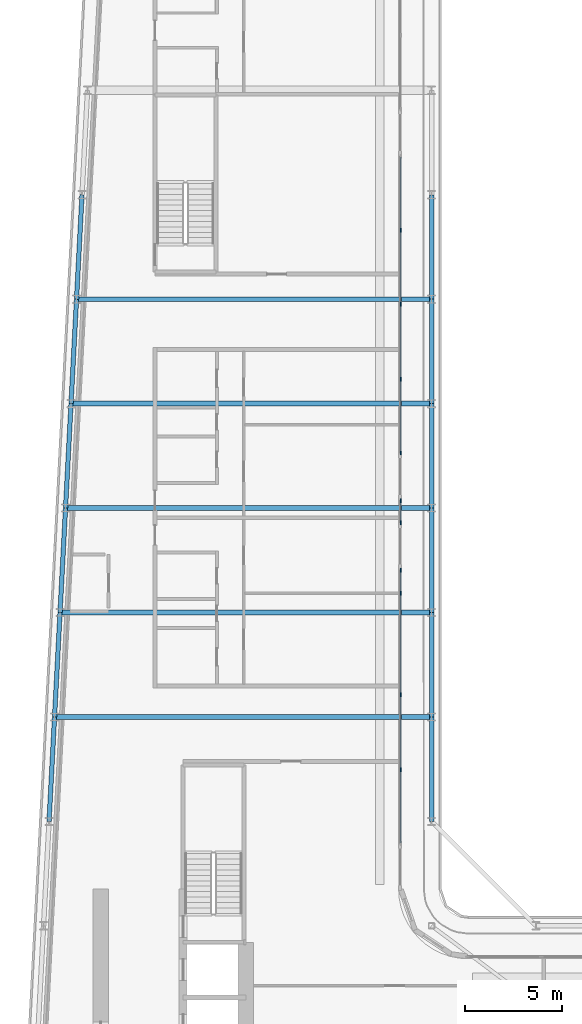
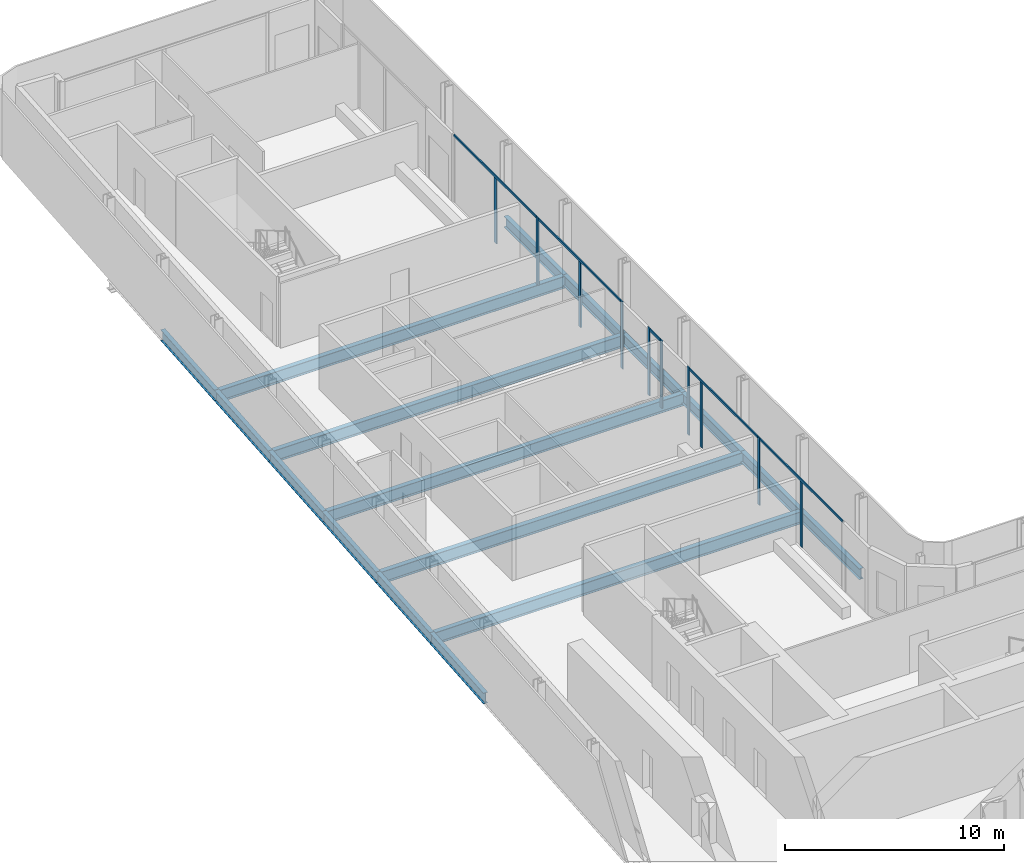
# One storey, part 9 of 29: 17 beams, 15 members, 5 elements without a shape of their own.
"""IFC4 building model written with IfcOpenShell, lengths in metres."""

from ifc_helpers import new_model, si_unit, direction, frame, origin, origin_2d, place, context, subcontext, project, spatial, rectangle, i_section, extrude, material, layer, layer_set, material_profile, profile_set, type_object, element, aggregate, save


model = new_model("IFC4")

# Units and contexts
model_context = context("Model", 3, precision=1e-05, world=origin(), true_north=direction((0.0, 1.0)))
body_context = subcontext(model_context, "Body", "Model", "MODEL_VIEW")
ifc_project = project(units=[si_unit("LENGTHUNIT", "METRE"), si_unit("AREAUNIT", "SQUARE_METRE"), si_unit("VOLUMEUNIT", "CUBIC_METRE"), si_unit("PLANEANGLEUNIT", "RADIAN"), si_unit("MASSUNIT", "GRAM", prefix="KILO")], contexts=[model_context])

# Site, building, storey
site_placement = place(None, origin())
site = spatial("IfcSite", under=ifc_project, at=site_placement, CompositionType="ELEMENT")
building_placement = place(site_placement, origin())
building = spatial("IfcBuilding", under=site, at=building_placement, Name="Kheshtan School and Residences Tower", CompositionType="ELEMENT")
storey_placement = place(building_placement, frame((0.0, 0.0, 176.0)))
storey = spatial("IfcBuildingStorey", under=building, at=storey_placement, Name="L41", CompositionType="ELEMENT", Elevation=176.0)

# Beams
ifc_material_1 = material(Name="Steel ASTM A992 Grade 50", Category="steel")
ifc_material_profile_1 = material_profile(ifc_material_1, i_section(OverallWidth=0.2529296875, OverallDepth=0.677978515625, WebThickness=0.01171875, FlangeThickness=0.016357421875, FilletRadius=0.0146484375, at=origin_2d()), Name="W690x125")
ifc_profile_set_1 = profile_set([ifc_material_profile_1], Name="Steel ASTM A992 Grade 50")
beam_type_1 = type_object("IfcBeamType", Name="Beam FB6 W690x125 ASTM A992 Grade 50", PredefinedType="BEAM", material=ifc_profile_set_1)
beam_1_placement = place(storey_placement, frame((47.60009765625, 78.0, -0.489013671875), z_axis=(-1.0, 0.0, 0.0), x_axis=(0.0, -1.0, 0.0)))
element("IfcBeam", 1, at=beam_1_placement, inside=storey, type_object=beam_type_1, Name="Floor beam C089", PredefinedType="BEAM", context=body_context, shape_type="SweptSolid", body=[
    extrude(i_section(OverallWidth=0.2529296875, OverallDepth=0.677978515625, WebThickness=0.01171875, FlangeThickness=0.016357421875, FilletRadius=0.0146484375, at=origin_2d()), origin(), (0.0, 0.0, 1.0), 18.357177734375),
])
beam_2_placement = place(storey_placement, frame((47.60009765625, 67.199951171875, -0.489013671875), z_axis=(-1.0, 0.0, 0.0), x_axis=(0.0, -1.0, 0.0)))
element("IfcBeam", 2, at=beam_2_placement, inside=storey, type_object=beam_type_1, Name="Floor beam C085", PredefinedType="BEAM", context=body_context, shape_type="SweptSolid", body=[
    extrude(i_section(OverallWidth=0.2529296875, OverallDepth=0.677978515625, WebThickness=0.01171875, FlangeThickness=0.016357421875, FilletRadius=0.0146484375, at=origin_2d()), origin(), (0.0, 0.0, 1.0), 18.926025390625),
])
beam_3_placement = place(storey_placement, frame((47.60009765625, 56.39990234375, -0.489013671875), z_axis=(-1.0, 0.0, 0.0), x_axis=(0.0, -1.0, 0.0)))
element("IfcBeam", 3, at=beam_3_placement, inside=storey, type_object=beam_type_1, Name="Floor beam C081", PredefinedType="BEAM", context=body_context, shape_type="SweptSolid", body=[
    extrude(i_section(OverallWidth=0.2529296875, OverallDepth=0.677978515625, WebThickness=0.01171875, FlangeThickness=0.016357421875, FilletRadius=0.0146484375, at=origin_2d()), origin(), (0.0, 0.0, 1.0), 19.494140625),
])
beam_4_placement = place(storey_placement, frame((28.389892578125, 61.800048828125, -0.489013671875), z_axis=(1.0, 0.0, 0.0), x_axis=(0.0, 1.0, 0.0)))
element("IfcBeam", 4, at=beam_4_placement, inside=storey, type_object=beam_type_1, Name="Floor beam C082", PredefinedType="BEAM", context=body_context, shape_type="SweptSolid", body=[
    extrude(i_section(OverallWidth=0.2529296875, OverallDepth=0.677978515625, WebThickness=0.01171875, FlangeThickness=0.016357421875, FilletRadius=0.0146484375, at=origin_2d()), origin(), (0.0, 0.0, 1.0), 19.210205078125),
])
beam_5_placement = place(storey_placement, frame((28.9580078125, 72.60009765625, -0.489013671875), z_axis=(1.0, 0.0, 0.0), x_axis=(0.0, 1.0, 0.0)))
element("IfcBeam", 5, at=beam_5_placement, inside=storey, type_object=beam_type_1, Name="Floor beam C086", PredefinedType="BEAM", context=body_context, shape_type="SweptSolid", body=[
    extrude(i_section(OverallWidth=0.2529296875, OverallDepth=0.677978515625, WebThickness=0.01171875, FlangeThickness=0.016357421875, FilletRadius=0.0146484375, at=origin_2d()), origin(), (0.0, 0.0, 1.0), 18.64208984375),
])
ifc_material_profile_2 = material_profile(ifc_material_1, i_section(OverallWidth=0.22802734375, OverallDepth=0.60302734375, WebThickness=0.010498046875, FlangeThickness=0.014892578125, FilletRadius=0.013427734375, at=origin_2d()), Name="W610x101")
ifc_profile_set_2 = profile_set([ifc_material_profile_2], Name="Steel ASTM A992 Grade 50")
beam_type_2 = type_object("IfcBeamType", Name="Beam SP2 W610x101 ASTM A992 Grade 50", PredefinedType="BEAM", material=ifc_profile_set_2)
for number, where, z_axis, x_axis, name in (
    (6, (47.60009765625, 83.39990234375, -0.451416015625), (0.0, -1.0, 0.0), (1.0, 0.0, 0.0), "Spandrel beam C091-C089"),
    (7, (47.60009765625, 78.0, -0.451416015625), (0.0, -1.0, 0.0), (1.0, 0.0, 0.0), "Spandrel beam C089-C087"),
):
    element("IfcBeam", number, at=place(storey_placement, frame(where, z_axis=z_axis, x_axis=x_axis)), inside=storey, type_object=beam_type_2, Name=name, PredefinedType="BEAM", context=body_context, shape_type="SweptSolid", body=[
        extrude(i_section(OverallWidth=0.22802734375, OverallDepth=0.60302734375, WebThickness=0.010498046875, FlangeThickness=0.014892578125, FilletRadius=0.013427734375, at=origin_2d()), origin(), (0.0, 0.0, 1.0), 5.39990234375),
    ])
beam_6_placement = place(storey_placement, frame((47.60009765625, 72.60009765625, -0.451416015625), z_axis=(0.0, -1.0, 0.0), x_axis=(1.0, 0.0, 0.0)))
element("IfcBeam", 8, at=beam_6_placement, inside=storey, type_object=beam_type_2, Name="Spandrel beam C087-C085", PredefinedType="BEAM", context=body_context, shape_type="SweptSolid", body=[
    extrude(i_section(OverallWidth=0.22802734375, OverallDepth=0.60302734375, WebThickness=0.010498046875, FlangeThickness=0.014892578125, FilletRadius=0.013427734375, at=origin_2d()), origin(), (0.0, 0.0, 1.0), 5.400146484375),
])
beam_7_placement = place(storey_placement, frame((47.60009765625, 67.199951171875, -0.451416015625), z_axis=(0.0, -1.0, 0.0), x_axis=(1.0, 0.0, 0.0)))
element("IfcBeam", 9, at=beam_7_placement, inside=storey, type_object=beam_type_2, Name="Spandrel beam C085-C083", PredefinedType="BEAM", context=body_context, shape_type="SweptSolid", body=[
    extrude(i_section(OverallWidth=0.22802734375, OverallDepth=0.60302734375, WebThickness=0.010498046875, FlangeThickness=0.014892578125, FilletRadius=0.013427734375, at=origin_2d()), origin(), (0.0, 0.0, 1.0), 5.39990234375),
])
beam_8_placement = place(storey_placement, frame((47.60009765625, 61.800048828125, -0.451416015625), z_axis=(0.0, -1.0, 0.0), x_axis=(1.0, 0.0, 0.0)))
element("IfcBeam", 10, at=beam_8_placement, inside=storey, type_object=beam_type_2, Name="Spandrel beam C083-C081", PredefinedType="BEAM", context=body_context, shape_type="SweptSolid", body=[
    extrude(i_section(OverallWidth=0.22802734375, OverallDepth=0.60302734375, WebThickness=0.010498046875, FlangeThickness=0.014892578125, FilletRadius=0.013427734375, at=origin_2d()), origin(), (0.0, 0.0, 1.0), 5.400146484375),
])
beam_9_placement = place(storey_placement, frame((47.60009765625, 56.39990234375, -0.451416015625), z_axis=(0.0, -1.0, 0.0), x_axis=(1.0, 0.0, 0.0)))
element("IfcBeam", 11, at=beam_9_placement, inside=storey, type_object=beam_type_2, Name="Spandrel beam C081-C079", PredefinedType="BEAM", context=body_context, shape_type="SweptSolid", body=[
    extrude(i_section(OverallWidth=0.22802734375, OverallDepth=0.60302734375, WebThickness=0.010498046875, FlangeThickness=0.014892578125, FilletRadius=0.013427734375, at=origin_2d()), origin(), (0.0, 0.0, 1.0), 5.39990234375),
])
beam_10_placement = place(storey_placement, frame((27.822021484375, 51.0, -0.451416015625), z_axis=(0.05250906864, 0.998620447272, 0.0), x_axis=(-0.998620447272, 0.05250906864, 0.0)))
element("IfcBeam", 12, at=beam_10_placement, inside=storey, type_object=beam_type_2, Name="Spandrel beam C078-C080", PredefinedType="BEAM", context=body_context, shape_type="SweptSolid", body=[
    extrude(i_section(OverallWidth=0.22802734375, OverallDepth=0.60302734375, WebThickness=0.010498046875, FlangeThickness=0.014892578125, FilletRadius=0.013427734375, at=origin_2d()), origin(), (0.0, 0.0, 1.0), 5.407470703125),
])
beam_11_placement = place(storey_placement, frame((28.10595703125, 56.39990234375, -0.451416015625), z_axis=(0.05250670125, 0.998620571751, 0.0), x_axis=(-0.998620571751, 0.05250670125, 0.0)))
element("IfcBeam", 13, at=beam_11_placement, inside=storey, type_object=beam_type_2, Name="Spandrel beam C080-C082", PredefinedType="BEAM", context=body_context, shape_type="SweptSolid", body=[
    extrude(i_section(OverallWidth=0.22802734375, OverallDepth=0.60302734375, WebThickness=0.010498046875, FlangeThickness=0.014892578125, FilletRadius=0.013427734375, at=origin_2d()), origin(), (0.0, 0.0, 1.0), 5.40771484375),
])
beam_12_placement = place(storey_placement, frame((28.389892578125, 61.800048828125, -0.451416015625), z_axis=(0.052554093665, 0.998618078766, 0.0), x_axis=(-0.998618078766, 0.052554093665, 0.0)))
element("IfcBeam", 14, at=beam_12_placement, inside=storey, type_object=beam_type_2, Name="Spandrel beam C082-C084", PredefinedType="BEAM", context=body_context, shape_type="SweptSolid", body=[
    extrude(i_section(OverallWidth=0.22802734375, OverallDepth=0.60302734375, WebThickness=0.010498046875, FlangeThickness=0.014892578125, FilletRadius=0.013427734375, at=origin_2d()), origin(), (0.0, 0.0, 1.0), 5.407470703125),
])
beam_13_placement = place(storey_placement, frame((28.674072265625, 67.199951171875, -0.451416015625), z_axis=(0.05250670125, 0.998620571751, 0.0), x_axis=(-0.998620571751, 0.05250670125, 0.0)))
element("IfcBeam", 15, at=beam_13_placement, inside=storey, type_object=beam_type_2, Name="Spandrel beam C084-C086", PredefinedType="BEAM", context=body_context, shape_type="SweptSolid", body=[
    extrude(i_section(OverallWidth=0.22802734375, OverallDepth=0.60302734375, WebThickness=0.010498046875, FlangeThickness=0.014892578125, FilletRadius=0.013427734375, at=origin_2d()), origin(), (0.0, 0.0, 1.0), 5.40771484375),
])
for number, where, z_axis, x_axis, name in (
    (16, (28.9580078125, 72.60009765625, -0.451416015625), (0.052689166816, 0.998610961136, 0.0), (-0.998610961136, 0.052689166816, 0.0), "Spandrel beam C086-C088"),
    (17, (29.242919921875, 78.0, -0.451416015625), (0.052554093665, 0.998618078766, 0.0), (-0.998618078766, 0.052554093665, 0.0), "Spandrel beam C088-C090"),
):
    element("IfcBeam", number, at=place(storey_placement, frame(where, z_axis=z_axis, x_axis=x_axis)), inside=storey, type_object=beam_type_2, Name=name, PredefinedType="BEAM", context=body_context, shape_type="SweptSolid", body=[
        extrude(i_section(OverallWidth=0.22802734375, OverallDepth=0.60302734375, WebThickness=0.010498046875, FlangeThickness=0.014892578125, FilletRadius=0.013427734375, at=origin_2d()), origin(), (0.0, 0.0, 1.0), 5.407470703125),
    ])

# Curtain wall, members
ifc_material_2 = material(Name="Clear low-e glass in thermally broken aluminium frame", Category="aluminium")
ifc_layer = layer(ifc_material_2, 0.199951171875)
ifc_layer_set = layer_set([ifc_layer], Name="Curtain wall CW-L")
curtain_wall_type = type_object("IfcCurtainWallType", Name="Curtain wall CW-L", PredefinedType="NOTDEFINED", material=ifc_layer_set)
curtain_wall_1_placement = place(storey_placement, origin())
curtain_wall_1 = element("IfcCurtainWall", 18, at=curtain_wall_1_placement, inside=storey, type_object=curtain_wall_type, Name="Curtain wall CWL8", PredefinedType="NOTDEFINED")
ifc_material_3 = material(Name="Thermally broken aluminium, dark bronze anodised", Category="aluminium")
ifc_material_profile_3 = material_profile(ifc_material_3, rectangle(XDim=0.06005859375, YDim=0.199951171875, at=origin_2d()), Name="CW-L mullion 60x200")
ifc_profile_set_3 = profile_set([ifc_material_profile_3], Name="Thermally broken aluminium, dark bronze anodised")
member_type_1 = type_object("IfcMemberType", Name="CW-L mullion 60x200", PredefinedType="MULLION", material=ifc_profile_set_3)
member_1_placement = place(storey_placement, frame((46.0, 81.55908203125, 0.0), z_axis=(0.0, 0.0, 1.0), x_axis=(1.0, 0.0, 0.0)))
member_1 = element("IfcMember", 19, at=member_1_placement, type_object=member_type_1, Name="CWL8 mullion 2", PredefinedType="MULLION", context=body_context, shape_type="SweptSolid", body=[
    extrude(rectangle(XDim=0.06005859375, YDim=0.199951171875, at=origin_2d()), origin(), (0.0, 0.0, 1.0), 3.6298828125),
])
member_2_placement = place(storey_placement, frame((46.0, 77.741943359375, 0.0), z_axis=(0.0, 0.0, 1.0), x_axis=(1.0, 0.0, 0.0)))
member_2 = element("IfcMember", 20, at=member_2_placement, type_object=member_type_1, Name="CWL8 mullion 3", PredefinedType="MULLION", context=body_context, shape_type="SweptSolid", body=[
    extrude(rectangle(XDim=0.06005859375, YDim=0.199951171875, at=origin_2d()), origin(), (0.0, 0.0, 1.0), 3.75),
])

curtain_wall_2_placement = place(storey_placement, origin())
curtain_wall_2 = element("IfcCurtainWall", 21, at=curtain_wall_2_placement, inside=storey, type_object=curtain_wall_type, Name="Curtain wall CWL8", PredefinedType="NOTDEFINED")
member_3_placement = place(storey_placement, frame((46.0, 73.864990234375, 0.0), z_axis=(0.0, 0.0, 1.0), x_axis=(1.0, 0.0, 0.0)))
member_3 = element("IfcMember", 22, at=member_3_placement, type_object=member_type_1, Name="CWL8 mullion 2", PredefinedType="MULLION", context=body_context, shape_type="SweptSolid", body=[
    extrude(rectangle(XDim=0.06005859375, YDim=0.199951171875, at=origin_2d()), origin(), (0.0, 0.0, 1.0), 3.6298828125),
])
member_4_placement = place(storey_placement, frame((46.0, 70.048095703125, 0.0), z_axis=(0.0, 0.0, 1.0), x_axis=(1.0, 0.0, 0.0)))
member_4 = element("IfcMember", 23, at=member_4_placement, type_object=member_type_1, Name="CWL8 mullion 3", PredefinedType="MULLION", context=body_context, shape_type="SweptSolid", body=[
    extrude(rectangle(XDim=0.06005859375, YDim=0.199951171875, at=origin_2d()), origin(), (0.0, 0.0, 1.0), 3.75),
])

curtain_wall_3_placement = place(storey_placement, origin())
curtain_wall_3 = element("IfcCurtainWall", 24, at=curtain_wall_3_placement, inside=storey, type_object=curtain_wall_type, Name="Curtain wall CWL8g", PredefinedType="NOTDEFINED")
member_5_placement = place(storey_placement, frame((46.0, 67.587890625, 0.0), z_axis=(0.0, 0.0, 1.0), x_axis=(1.0, 0.0, 0.0)))
member_5 = element("IfcMember", 25, at=member_5_placement, type_object=member_type_1, Name="CWL8g mullion 1", PredefinedType="MULLION", context=body_context, shape_type="SweptSolid", body=[
    extrude(rectangle(XDim=0.06005859375, YDim=0.199951171875, at=origin_2d()), origin(), (0.0, 0.0, 1.0), 3.75),
])
member_6_placement = place(storey_placement, frame((46.0, 66.447998046875, 0.0), z_axis=(0.0, 0.0, 1.0), x_axis=(1.0, 0.0, 0.0)))
member_6 = element("IfcMember", 26, at=member_6_placement, type_object=member_type_1, Name="CWL8g mullion 2", PredefinedType="MULLION", context=body_context, shape_type="SweptSolid", body=[
    extrude(rectangle(XDim=0.06005859375, YDim=0.199951171875, at=origin_2d()), origin(), (0.0, 0.0, 1.0), 3.75),
])

curtain_wall_4_placement = place(storey_placement, origin())
curtain_wall_4 = element("IfcCurtainWall", 27, at=curtain_wall_4_placement, inside=storey, type_object=curtain_wall_type, Name="Curtain wall CWL8k", PredefinedType="NOTDEFINED")
member_7_placement = place(storey_placement, frame((46.0, 63.988037109375, 0.0), z_axis=(0.0, 0.0, 1.0), x_axis=(1.0, 0.0, 0.0)))
member_7 = element("IfcMember", 28, at=member_7_placement, type_object=member_type_1, Name="CWL8k mullion 1", PredefinedType="MULLION", context=body_context, shape_type="SweptSolid", body=[
    extrude(rectangle(XDim=0.06005859375, YDim=0.199951171875, at=origin_2d()), origin(), (0.0, 0.0, 1.0), 3.75),
])
member_8_placement = place(storey_placement, frame((46.0, 62.800048828125, 0.0), z_axis=(0.0, 0.0, 1.0), x_axis=(1.0, 0.0, 0.0)))
member_8 = element("IfcMember", 29, at=member_8_placement, type_object=member_type_1, Name="CWL8k mullion 2", PredefinedType="MULLION", context=body_context, shape_type="SweptSolid", body=[
    extrude(rectangle(XDim=0.06005859375, YDim=0.199951171875, at=origin_2d()), origin(), (0.0, 0.0, 1.0), 3.6298828125),
])
member_9_placement = place(storey_placement, frame((46.0, 57.553955078125, 0.0), z_axis=(0.0, 0.0, 1.0), x_axis=(1.0, 0.0, 0.0)))
member_9 = element("IfcMember", 30, at=member_9_placement, type_object=member_type_1, Name="CWL8k mullion 3", PredefinedType="MULLION", context=body_context, shape_type="SweptSolid", body=[
    extrude(rectangle(XDim=0.06005859375, YDim=0.199951171875, at=origin_2d()), origin(), (0.0, 0.0, 1.0), 3.75),
])

# Curtain wall, member
curtain_wall_5_placement = place(storey_placement, origin())
curtain_wall_5 = element("IfcCurtainWall", 31, at=curtain_wall_5_placement, inside=storey, type_object=curtain_wall_type, Name="Curtain wall CWL8", PredefinedType="NOTDEFINED")
member_10_placement = place(storey_placement, frame((46.0, 53.677001953125, 0.0), z_axis=(0.0, 0.0, 1.0), x_axis=(1.0, 0.0, 0.0)))
member_10 = element("IfcMember", 32, at=member_10_placement, type_object=member_type_1, Name="CWL8 mullion 2", PredefinedType="MULLION", context=body_context, shape_type="SweptSolid", body=[
    extrude(rectangle(XDim=0.06005859375, YDim=0.199951171875, at=origin_2d()), origin(), (0.0, 0.0, 1.0), 3.6298828125),
])

# Member
ifc_material_profile_4 = material_profile(ifc_material_3, rectangle(XDim=0.06005859375, YDim=0.1201171875, at=origin_2d()), Name="CW-L transom 60x120")
ifc_profile_set_4 = profile_set([ifc_material_profile_4], Name="Thermally broken aluminium, dark bronze anodised")
member_type_2 = type_object("IfcMemberType", Name="CW-L transom 60x120", PredefinedType="USERDEFINED", material=ifc_profile_set_4)
member_11_placement = place(storey_placement, frame((46.0, 85.345947265625, 3.68994140625), z_axis=(0.0, -1.0, 0.0), x_axis=(1.0, 0.0, 0.0)))
member_11 = element("IfcMember", 33, at=member_11_placement, type_object=member_type_2, Name="CWL8 transom 1", ObjectType="TRANSOM", PredefinedType="USERDEFINED", context=body_context, shape_type="SweptSolid", body=[
    extrude(rectangle(XDim=0.06005859375, YDim=0.1201171875, at=origin_2d()), origin(), (0.0, 0.0, 1.0), 7.573974609375),
])

aggregate(curtain_wall_1, [member_1, member_2, member_11])

member_12_placement = place(storey_placement, frame((46.0, 77.7119140625, 3.68994140625), z_axis=(0.0, -1.0, 0.0), x_axis=(1.0, 0.0, 0.0)))
member_12 = element("IfcMember", 34, at=member_12_placement, type_object=member_type_2, Name="CWL8 transom 1", ObjectType="TRANSOM", PredefinedType="USERDEFINED", context=body_context, shape_type="SweptSolid", body=[
    extrude(rectangle(XDim=0.06005859375, YDim=0.1201171875, at=origin_2d()), origin(), (0.0, 0.0, 1.0), 7.634033203125),
])

aggregate(curtain_wall_2, [member_3, member_4, member_12])

member_13_placement = place(storey_placement, frame((46.0, 67.55810546875, 3.68994140625), z_axis=(0.0, -1.0, 0.0), x_axis=(1.0, 0.0, 0.0)))
member_13 = element("IfcMember", 35, at=member_13_placement, type_object=member_type_2, Name="CWL8g transom 1", ObjectType="TRANSOM", PredefinedType="USERDEFINED", context=body_context, shape_type="SweptSolid", body=[
    extrude(rectangle(XDim=0.06005859375, YDim=0.1201171875, at=origin_2d()), origin(), (0.0, 0.0, 1.0), 1.080078125),
])

aggregate(curtain_wall_3, [member_5, member_6, member_13])

member_14_placement = place(storey_placement, frame((46.0, 63.9580078125, 3.68994140625), z_axis=(0.0, -1.0, 0.0), x_axis=(1.0, 0.0, 0.0)))
member_14 = element("IfcMember", 36, at=member_14_placement, type_object=member_type_2, Name="CWL8k transom 1", ObjectType="TRANSOM", PredefinedType="USERDEFINED", context=body_context, shape_type="SweptSolid", body=[
    extrude(rectangle(XDim=0.06005859375, YDim=0.1201171875, at=origin_2d()), origin(), (0.0, 0.0, 1.0), 6.3740234375),
])

aggregate(curtain_wall_4, [member_7, member_8, member_9, member_14])

member_15_placement = place(storey_placement, frame((46.0, 57.52392578125, 3.68994140625), z_axis=(0.0, -1.0, 0.0), x_axis=(1.0, 0.0, 0.0)))
member_15 = element("IfcMember", 37, at=member_15_placement, type_object=member_type_2, Name="CWL8 transom 1", ObjectType="TRANSOM", PredefinedType="USERDEFINED", context=body_context, shape_type="SweptSolid", body=[
    extrude(rectangle(XDim=0.06005859375, YDim=0.1201171875, at=origin_2d()), origin(), (0.0, 0.0, 1.0), 7.634033203125),
])

aggregate(curtain_wall_5, [member_10, member_15])

save(model, "model.ifc")
